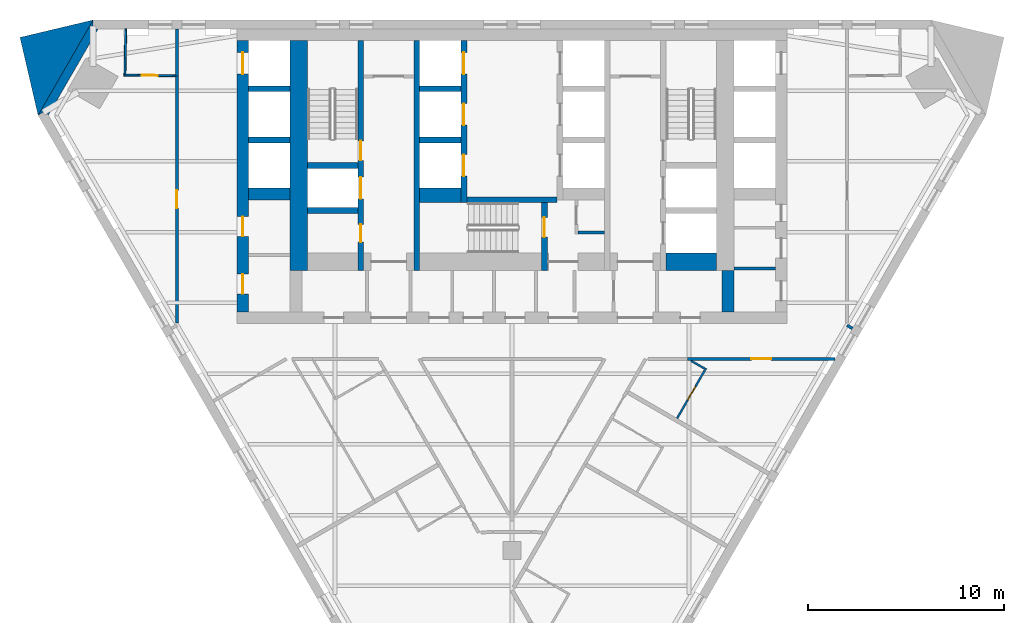
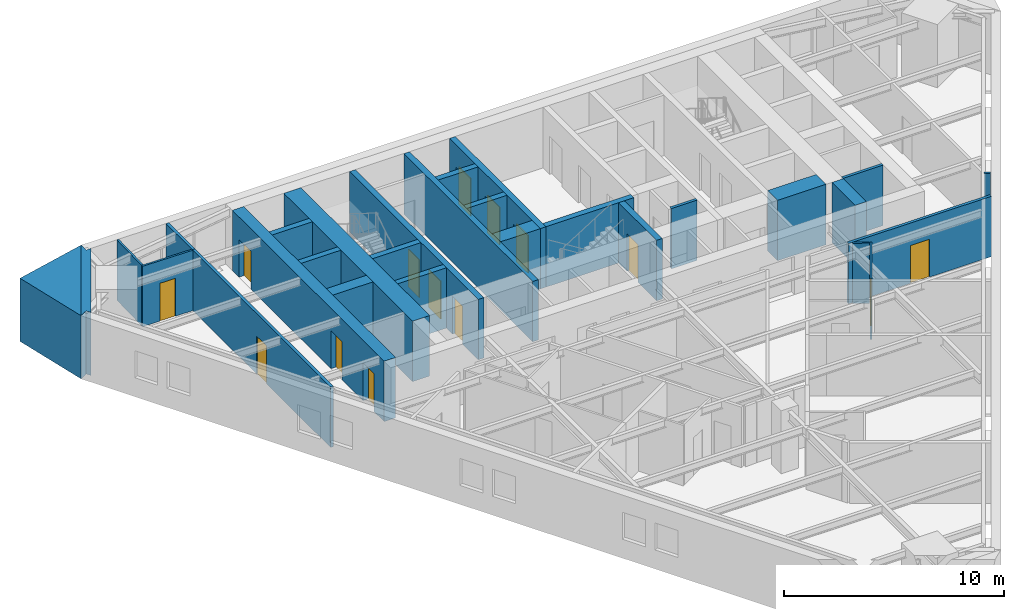
# One storey, part 5 of 9: 29 walls, 14 doors, 14 openings.
"""IFC4 building model written with IfcOpenShell, lengths in metres."""

from ifc_helpers import new_model, si_unit, direction, frame, frame_2d, origin, place, context, subcontext, project, spatial, polyline, rectangle, outline, extrude, material, layer, layer_set, type_object, element, fill, save


model = new_model("IFC4")

# Units and contexts
model_context = context("Model", 3, precision=1e-05, world=origin(), true_north=direction((0.0, 1.0)))
body_context = subcontext(model_context, "Body", "Model", "MODEL_VIEW")
ifc_project = project(units=[si_unit("LENGTHUNIT", "METRE"), si_unit("AREAUNIT", "SQUARE_METRE"), si_unit("VOLUMEUNIT", "CUBIC_METRE"), si_unit("PLANEANGLEUNIT", "RADIAN"), si_unit("MASSUNIT", "GRAM", prefix="KILO")], contexts=[model_context])

# Site, building, storey
site_placement = place(None, origin())
site = spatial("IfcSite", under=ifc_project, at=site_placement, CompositionType="ELEMENT")
building_placement = place(site_placement, origin())
building = spatial("IfcBuilding", under=site, at=building_placement, Name="Aloe Facet Convention Tower", CompositionType="ELEMENT")
storey_placement = place(building_placement, frame((0.0, 0.0, 106.300048828125)))
storey = spatial("IfcBuildingStorey", under=building, at=storey_placement, Name="L26", CompositionType="ELEMENT", Elevation=106.300048828125)

# Walls
ifc_material_1 = material(Name="Concrete blockwork partition", Category="masonry")
ifc_layer_1 = layer(ifc_material_1, 0.14990234375)
ifc_layer_set_1 = layer_set([ifc_layer_1], Name="CR-W-PART150")
wall_type_1 = type_object("IfcWallType", Name="CR-W-PART150", PredefinedType="PARTITIONING", material=ifc_layer_set_1)
wall_1_placement = place(storey_placement, frame((83.35009765625, 124.175048828125, 0.0), z_axis=(0.0, 0.0, 1.0), x_axis=(1.0, 0.0, 0.0)))
element("IfcWall", 1, at=wall_1_placement, inside=storey, type_object=wall_type_1, Name="Core partition L26-036", PredefinedType="PARTITIONING", context=body_context, shape_type="SweptSolid", body=[
    extrude(rectangle(XDim=1.349853515625, YDim=0.14990234375, at=frame_2d((0.6748046875, 0.0))), origin(), (0.0, 0.0, 1.0), 3.349853515625),
])
wall_2_placement = place(storey_placement, frame((91.300048828125, 122.346435546875, 0.0), z_axis=(0.0, 0.0, 1.0), x_axis=(1.0, 0.0, 0.0)))
element("IfcWall", 2, at=wall_2_placement, inside=storey, type_object=wall_type_1, Name="Core partition L26-052", PredefinedType="PARTITIONING", context=body_context, shape_type="SweptSolid", body=[
    extrude(rectangle(XDim=2.099853515625, YDim=0.14990234375, at=frame_2d((1.0498046875, 0.0))), origin(), (0.0, 0.0, 1.0), 3.349853515625),
])
ifc_material_2 = material(Name="Concrete C70/85", Category="concrete")
ifc_layer_2 = layer(ifc_material_2, 0.300048828125)
ifc_layer_set_2 = layer_set([ifc_layer_2], Name="CR-W-RC300-C7085")
wall_type_2 = type_object("IfcWallType", Name="CR-W-RC300-C7085", PredefinedType="SOLIDWALL", material=ifc_layer_set_2)
for number, where, z_axis, x_axis, name in (
    (3, (66.60009765625, 131.5, 0.0), (0.0, 0.0, 1.0), (1.0, 0.0, 0.0), "Core wall L26-004"),
    (4, (66.60009765625, 128.89990234375, 0.0), (0.0, 0.0, 1.0), (1.0, 0.0, 0.0), "Core wall L26-005"),
):
    element("IfcWall", number, at=place(storey_placement, frame(where, z_axis=z_axis, x_axis=x_axis)), inside=storey, type_object=wall_type_2, Name=name, PredefinedType="SOLIDWALL", context=body_context, shape_type="SweptSolid", body=[
        extrude(rectangle(XDim=2.099853515625, YDim=0.300048828125, at=frame_2d((1.0498046875, 0.0))), origin(), (0.0, 0.0, 1.0), 3.349853515625),
    ])
for number, where, z_axis, x_axis, name in (
    (5, (69.60009765625, 127.60009765625, 0.0), (0.0, 0.0, 1.0), (1.0, 0.0, 0.0), "Core wall L26-010"),
    (6, (69.60009765625, 125.300048828125, 0.0), (0.0, 0.0, 1.0), (1.0, 0.0, 0.0), "Core wall L26-011"),
):
    element("IfcWall", number, at=place(storey_placement, frame(where, z_axis=z_axis, x_axis=x_axis)), inside=storey, type_object=wall_type_2, Name=name, PredefinedType="SOLIDWALL", context=body_context, shape_type="SweptSolid", body=[
        extrude(rectangle(XDim=2.5498046875, YDim=0.300048828125, at=frame_2d((1.27490234375, 0.0))), origin(), (0.0, 0.0, 1.0), 3.349853515625),
    ])

# Wall, openings, doors
wall_3_placement = place(storey_placement, frame((72.300048828125, 133.949951171875, 0.0), z_axis=(0.0, 0.0, 1.0), x_axis=(0.0, -1.0, 0.0)))
wall_3 = element("IfcWall", 7, at=wall_3_placement, inside=storey, type_object=wall_type_2, Name="Core wall L26-013", PredefinedType="SOLIDWALL", context=body_context, shape_type="SweptSolid", body=[
    extrude(rectangle(XDim=11.699951171875, YDim=0.300048828125, at=frame_2d((5.85009765625, 0.0))), origin(), (0.0, 0.0, 1.0), 3.349853515625),
])
opening_1_placement = place(wall_3_placement, frame((6.949951171875, 0.0, 0.0)))
opening_1 = element("IfcOpeningElement", 8, at=opening_1_placement, cuts=wall_3, Name="Opening LD-FF1-L26", PredefinedType="OPENING", context=body_context, shape_type="SweptSolid", body=[
    extrude(rectangle(XDim=1.10009765625, YDim=2.10009765625, at=frame_2d((0.550048828125, 1.050048828125))), frame((0.0, 0.16015625, 0.0), z_axis=(0.0, -1.0, 0.0), x_axis=(1.0, 0.0, 0.0)), (0.0, 0.0, 1.0), 0.320068359375),
])
opening_2_placement = place(wall_3_placement, frame((9.35009765625, 0.0, 0.0)))
opening_2 = element("IfcOpeningElement", 9, at=opening_2_placement, cuts=wall_3, Name="Opening L26-CD23", PredefinedType="OPENING", context=body_context, shape_type="SweptSolid", body=[
    extrude(rectangle(XDim=0.89990234375, YDim=2.10009765625, at=frame_2d((0.449951171875, 1.050048828125))), frame((0.0, 0.16015625, 0.0), z_axis=(0.0, -1.0, 0.0), x_axis=(1.0, 0.0, 0.0)), (0.0, 0.0, 1.0), 0.320068359375),
])
opening_3_placement = place(wall_3_placement, frame((5.10009765625, 0.0, 0.0)))
opening_3 = element("IfcOpeningElement", 10, at=opening_3_placement, cuts=wall_3, Name="Opening L26-CD30", PredefinedType="OPENING", context=body_context, shape_type="SweptSolid", body=[
    extrude(rectangle(XDim=1.0, YDim=2.10009765625, at=frame_2d((0.5, 1.050048828125))), frame((0.0, 0.16015625, 0.0), z_axis=(0.0, -1.0, 0.0), x_axis=(1.0, 0.0, 0.0)), (0.0, 0.0, 1.0), 0.320068359375),
])
ifc_material_3 = material(Name="Steel fire-resisting door set FD60", Category="steel")
door_type_1 = type_object("IfcDoorType", Name="CR-D-ROOM-900-FD60-SLEFT", OperationType="SINGLE_SWING_LEFT", PredefinedType="DOOR", material=ifc_material_3)
door_1_placement = place(opening_2_placement, origin())
door_1 = element("IfcDoor", 11, at=door_1_placement, inside=storey, type_object=door_type_1, Name="Core door L26-CD23", OperationType="SINGLE_SWING_LEFT", OverallHeight=2.10009765625, OverallWidth=0.89990234375, PredefinedType="DOOR", context=body_context, shape_type="SweptSolid", body=[
    extrude(rectangle(XDim=0.89990234375, YDim=2.10009765625, at=frame_2d((0.449951171875, 1.050048828125))), frame((0.0, 0.02490234375, 0.0), z_axis=(0.0, -1.0, 0.0), x_axis=(1.0, 0.0, 0.0)), (0.0, 0.0, 1.0), 0.050048828125),
])
fill(opening_2, door_1)
ifc_material_4 = material(Name="Steel fire-resisting door set FD120", Category="steel")
door_type_2 = type_object("IfcDoorType", Name="CR-D-STAIR-1000-FD120-SRIGHT", OperationType="SINGLE_SWING_RIGHT", PredefinedType="DOOR", material=ifc_material_4)
door_2_placement = place(opening_3_placement, origin())
door_2 = element("IfcDoor", 12, at=door_2_placement, inside=storey, type_object=door_type_2, Name="Core door L26-CD30", OperationType="SINGLE_SWING_RIGHT", OverallHeight=2.10009765625, OverallWidth=1.0, PredefinedType="DOOR", context=body_context, shape_type="SweptSolid", body=[
    extrude(rectangle(XDim=1.0, YDim=2.10009765625, at=frame_2d((0.5, 1.050048828125))), frame((0.0, 0.02490234375, 0.0), z_axis=(0.0, -1.0, 0.0), x_axis=(1.0, 0.0, 0.0)), (0.0, 0.0, 1.0), 0.050048828125),
])
fill(opening_3, door_2)
ifc_material_5 = material(Name="Stainless steel sliding landing door", Category="steel")
door_type_3 = type_object("IfcDoorType", Name="CR-LD-1100-FD120-_LEFT", OperationType="SLIDING_TO_LEFT", PredefinedType="DOOR", material=ifc_material_5)
door_3_placement = place(opening_1_placement, origin())
door_3 = element("IfcDoor", 13, at=door_3_placement, inside=storey, type_object=door_type_3, Name="Landing door FF1 L26", OperationType="SLIDING_TO_LEFT", OverallHeight=2.10009765625, OverallWidth=1.10009765625, PredefinedType="DOOR", context=body_context, shape_type="SweptSolid", body=[
    extrude(rectangle(XDim=1.10009765625, YDim=2.10009765625, at=frame_2d((0.550048828125, 1.050048828125))), frame((0.0, 0.02490234375, 0.0), z_axis=(0.0, -1.0, 0.0), x_axis=(1.0, 0.0, 0.0)), (0.0, 0.0, 1.0), 0.050048828125),
])
fill(opening_1, door_3)

# Walls
wall_4_placement = place(storey_placement, frame((75.14990234375, 133.949951171875, 0.0), z_axis=(0.0, 0.0, 1.0), x_axis=(0.0, -1.0, 0.0)))
element("IfcWall", 14, at=wall_4_placement, inside=storey, type_object=wall_type_2, Name="Core wall L26-018", PredefinedType="SOLIDWALL", context=body_context, shape_type="SweptSolid", body=[
    extrude(rectangle(XDim=11.699951171875, YDim=0.300048828125, at=frame_2d((5.85009765625, 0.0))), origin(), (0.0, 0.0, 1.0), 3.349853515625),
])
for number, where, z_axis, x_axis, name in (
    (15, (75.300048828125, 131.5, 0.0), (0.0, 0.0, 1.0), (1.0, 0.0, 0.0), "Core wall L26-019"),
    (16, (75.300048828125, 128.89990234375, 0.0), (0.0, 0.0, 1.0), (1.0, 0.0, 0.0), "Core wall L26-020"),
):
    element("IfcWall", number, at=place(storey_placement, frame(where, z_axis=z_axis, x_axis=x_axis)), inside=storey, type_object=wall_type_2, Name=name, PredefinedType="SOLIDWALL", context=body_context, shape_type="SweptSolid", body=[
        extrude(rectangle(XDim=2.099853515625, YDim=0.300048828125, at=frame_2d((1.0498046875, 0.0))), origin(), (0.0, 0.0, 1.0), 3.349853515625),
    ])

# Wall, openings, doors
wall_5_placement = place(storey_placement, frame((77.550048828125, 133.949951171875, 0.0), z_axis=(0.0, 0.0, 1.0), x_axis=(0.0, -1.0, 0.0)))
wall_5 = element("IfcWall", 17, at=wall_5_placement, inside=storey, type_object=wall_type_2, Name="Core wall L26-024", PredefinedType="SOLIDWALL", context=body_context, shape_type="SweptSolid", body=[
    extrude(rectangle(XDim=8.25, YDim=0.300048828125, at=frame_2d((4.125, 0.0))), origin(), (0.0, 0.0, 1.0), 3.349853515625),
])
opening_4_placement = place(wall_5_placement, frame((0.60009765625, 0.0, 0.0)))
opening_4 = element("IfcOpeningElement", 18, at=opening_4_placement, cuts=wall_5, Name="Opening LD-A1-L26", PredefinedType="OPENING", context=body_context, shape_type="SweptSolid", body=[
    extrude(rectangle(XDim=1.10009765625, YDim=2.10009765625, at=frame_2d((0.550048828125, 1.050048828125))), frame((0.0, 0.16015625, 0.0), z_axis=(0.0, -1.0, 0.0), x_axis=(1.0, 0.0, 0.0)), (0.0, 0.0, 1.0), 0.320068359375),
])
opening_5_placement = place(wall_5_placement, frame((3.199951171875, 0.0, 0.0)))
opening_5 = element("IfcOpeningElement", 19, at=opening_5_placement, cuts=wall_5, Name="Opening LD-A2-L26", PredefinedType="OPENING", context=body_context, shape_type="SweptSolid", body=[
    extrude(rectangle(XDim=1.10009765625, YDim=2.10009765625, at=frame_2d((0.550048828125, 1.050048828125))), frame((0.0, 0.16015625, 0.0), z_axis=(0.0, -1.0, 0.0), x_axis=(1.0, 0.0, 0.0)), (0.0, 0.0, 1.0), 0.320068359375),
])
opening_6_placement = place(wall_5_placement, frame((5.800048828125, 0.0, 0.0)))
opening_6 = element("IfcOpeningElement", 20, at=opening_6_placement, cuts=wall_5, Name="Opening LD-A3-L26", PredefinedType="OPENING", context=body_context, shape_type="SweptSolid", body=[
    extrude(rectangle(XDim=1.10009765625, YDim=2.10009765625, at=frame_2d((0.550048828125, 1.050048828125))), frame((0.0, 0.16015625, 0.0), z_axis=(0.0, -1.0, 0.0), x_axis=(1.0, 0.0, 0.0)), (0.0, 0.0, 1.0), 0.320068359375),
])
ifc_material_6 = material(Name="Stainless steel sliding landing door", Category="steel")
door_type_4 = type_object("IfcDoorType", Name="CR-LD-1100-FD60-RIGHT", OperationType="SLIDING_TO_RIGHT", PredefinedType="DOOR", material=ifc_material_6)
door_4_placement = place(opening_4_placement, origin())
door_4 = element("IfcDoor", 21, at=door_4_placement, inside=storey, type_object=door_type_4, Name="Landing door A1 L26", OperationType="SLIDING_TO_RIGHT", OverallHeight=2.10009765625, OverallWidth=1.10009765625, PredefinedType="DOOR", context=body_context, shape_type="SweptSolid", body=[
    extrude(rectangle(XDim=1.10009765625, YDim=2.10009765625, at=frame_2d((0.550048828125, 1.050048828125))), frame((0.0, 0.02490234375, 0.0), z_axis=(0.0, -1.0, 0.0), x_axis=(1.0, 0.0, 0.0)), (0.0, 0.0, 1.0), 0.050048828125),
])
fill(opening_4, door_4)
door_5_placement = place(opening_5_placement, origin())
door_5 = element("IfcDoor", 22, at=door_5_placement, inside=storey, type_object=door_type_4, Name="Landing door A2 L26", OperationType="SLIDING_TO_RIGHT", OverallHeight=2.10009765625, OverallWidth=1.10009765625, PredefinedType="DOOR", context=body_context, shape_type="SweptSolid", body=[
    extrude(rectangle(XDim=1.10009765625, YDim=2.10009765625, at=frame_2d((0.550048828125, 1.050048828125))), frame((0.0, 0.02490234375, 0.0), z_axis=(0.0, -1.0, 0.0), x_axis=(1.0, 0.0, 0.0)), (0.0, 0.0, 1.0), 0.050048828125),
])
fill(opening_5, door_5)
door_6_placement = place(opening_6_placement, origin())
door_6 = element("IfcDoor", 23, at=door_6_placement, inside=storey, type_object=door_type_4, Name="Landing door A3 L26", OperationType="SLIDING_TO_RIGHT", OverallHeight=2.10009765625, OverallWidth=1.10009765625, PredefinedType="DOOR", context=body_context, shape_type="SweptSolid", body=[
    extrude(rectangle(XDim=1.10009765625, YDim=2.10009765625, at=frame_2d((0.550048828125, 1.050048828125))), frame((0.0, 0.02490234375, 0.0), z_axis=(0.0, -1.0, 0.0), x_axis=(1.0, 0.0, 0.0)), (0.0, 0.0, 1.0), 0.050048828125),
])
fill(opening_6, door_6)

# Wall
wall_6_placement = place(storey_placement, frame((77.699951171875, 125.85009765625, 0.0), z_axis=(0.0, 0.0, 1.0), x_axis=(1.0, 0.0, 0.0)))
element("IfcWall", 24, at=wall_6_placement, inside=storey, type_object=wall_type_2, Name="Core wall L26-025", PredefinedType="SOLIDWALL", context=body_context, shape_type="SweptSolid", body=[
    extrude(rectangle(XDim=4.60009765625, YDim=0.300048828125, at=frame_2d((2.300048828125, 0.0))), origin(), (0.0, 0.0, 1.0), 3.349853515625),
])

# Wall, opening, door
wall_7_placement = place(storey_placement, frame((81.64990234375, 125.699951171875, 0.0), z_axis=(0.0, 0.0, 1.0), x_axis=(0.0, -1.0, 0.0)))
wall_7 = element("IfcWall", 25, at=wall_7_placement, inside=storey, type_object=wall_type_2, Name="Core wall L26-028", PredefinedType="SOLIDWALL", context=body_context, shape_type="SweptSolid", body=[
    extrude(rectangle(XDim=3.449951171875, YDim=0.300048828125, at=frame_2d((1.72509765625, 0.0))), origin(), (0.0, 0.0, 1.0), 3.349853515625),
])
opening_7_placement = place(wall_7_placement, frame((0.75, 0.0, 0.0)))
opening_7 = element("IfcOpeningElement", 26, at=opening_7_placement, cuts=wall_7, Name="Opening L26-CD32", PredefinedType="OPENING", context=body_context, shape_type="SweptSolid", body=[
    extrude(rectangle(XDim=1.0, YDim=2.10009765625, at=frame_2d((0.5, 1.050048828125))), frame((0.0, 0.16015625, 0.0), z_axis=(0.0, -1.0, 0.0), x_axis=(1.0, 0.0, 0.0)), (0.0, 0.0, 1.0), 0.320068359375),
])
ifc_material_7 = material(Name="Steel fire-resisting door set FD120", Category="steel")
door_type_5 = type_object("IfcDoorType", Name="CR-D-STAIR-1000-FD120-SLEFT", OperationType="SINGLE_SWING_LEFT", PredefinedType="DOOR", material=ifc_material_7)
door_7_placement = place(opening_7_placement, origin())
door_7 = element("IfcDoor", 27, at=door_7_placement, inside=storey, type_object=door_type_5, Name="Core door L26-CD32", OperationType="SINGLE_SWING_LEFT", OverallHeight=2.10009765625, OverallWidth=1.0, PredefinedType="DOOR", context=body_context, shape_type="SweptSolid", body=[
    extrude(rectangle(XDim=1.0, YDim=2.10009765625, at=frame_2d((0.5, 1.050048828125))), frame((0.0, 0.02490234375, 0.0), z_axis=(0.0, -1.0, 0.0), x_axis=(1.0, 0.0, 0.0)), (0.0, 0.0, 1.0), 0.050048828125),
])
fill(opening_7, door_7)

# Wall, openings, doors
ifc_material_8 = material(Name="Concrete C70/85", Category="concrete")
ifc_layer_3 = layer(ifc_material_8, 0.60009765625)
ifc_layer_set_3 = layer_set([ifc_layer_3], Name="CR-W-RC600-C7085")
wall_type_3 = type_object("IfcWallType", Name="CR-W-RC600-C7085", PredefinedType="SOLIDWALL", material=ifc_layer_set_3)
wall_8_placement = place(storey_placement, frame((66.300048828125, 133.949951171875, 0.0), z_axis=(0.0, 0.0, 1.0), x_axis=(0.0, -1.0, 0.0)))
wall_8 = element("IfcWall", 28, at=wall_8_placement, inside=storey, type_object=wall_type_3, Name="Core wall L26-002", PredefinedType="SOLIDWALL", context=body_context, shape_type="SweptSolid", body=[
    extrude(rectangle(XDim=13.800048828125, YDim=0.60009765625, at=frame_2d((6.89990234375, 0.0))), origin(), (0.0, 0.0, 1.0), 3.349853515625),
])
opening_8_placement = place(wall_8_placement, frame((0.60009765625, 0.0, 0.0)))
opening_8 = element("IfcOpeningElement", 29, at=opening_8_placement, cuts=wall_8, Name="Opening LD-A7-L26", PredefinedType="OPENING", context=body_context, shape_type="SweptSolid", body=[
    extrude(rectangle(XDim=1.10009765625, YDim=2.10009765625, at=frame_2d((0.550048828125, 1.050048828125))), frame((0.0, 0.31005859375, 0.0), z_axis=(0.0, -1.0, 0.0), x_axis=(1.0, 0.0, 0.0)), (0.0, 0.0, 1.0), 0.6201171875),
])
opening_9_placement = place(wall_8_placement, frame((8.963134765625, 0.0, 0.0)))
opening_9 = element("IfcOpeningElement", 30, at=opening_9_placement, cuts=wall_8, Name="Opening L26-CD34", PredefinedType="OPENING", context=body_context, shape_type="SweptSolid", body=[
    extrude(rectangle(XDim=1.0, YDim=2.10009765625, at=frame_2d((0.5, 1.050048828125))), frame((0.0, 0.31005859375, 0.0), z_axis=(0.0, -1.0, 0.0), x_axis=(1.0, 0.0, 0.0)), (0.0, 0.0, 1.0), 0.6201171875),
])
opening_10_placement = place(wall_8_placement, frame((11.88818359375, 0.0, 0.0)))
opening_10 = element("IfcOpeningElement", 31, at=opening_10_placement, cuts=wall_8, Name="Opening L26-CD35", PredefinedType="OPENING", context=body_context, shape_type="SweptSolid", body=[
    extrude(rectangle(XDim=1.0, YDim=2.10009765625, at=frame_2d((0.5, 1.050048828125))), frame((0.0, 0.31005859375, 0.0), z_axis=(0.0, -1.0, 0.0), x_axis=(1.0, 0.0, 0.0)), (0.0, 0.0, 1.0), 0.6201171875),
])
ifc_material_9 = material(Name="Steel fire-resisting door set FD60", Category="steel")
door_type_6 = type_object("IfcDoorType", Name="CR-D-ROOM-1000-FD60-SLEFT", OperationType="SINGLE_SWING_LEFT", PredefinedType="DOOR", material=ifc_material_9)
door_8_placement = place(opening_9_placement, origin())
door_8 = element("IfcDoor", 32, at=door_8_placement, inside=storey, type_object=door_type_6, Name="Core door L26-CD34", OperationType="SINGLE_SWING_LEFT", OverallHeight=2.10009765625, OverallWidth=1.0, PredefinedType="DOOR", context=body_context, shape_type="SweptSolid", body=[
    extrude(rectangle(XDim=1.0, YDim=2.10009765625, at=frame_2d((0.5, 1.050048828125))), frame((0.0, 0.02490234375, 0.0), z_axis=(0.0, -1.0, 0.0), x_axis=(1.0, 0.0, 0.0)), (0.0, 0.0, 1.0), 0.050048828125),
])
fill(opening_9, door_8)
door_9_placement = place(opening_10_placement, origin())
door_9 = element("IfcDoor", 33, at=door_9_placement, inside=storey, type_object=door_type_6, Name="Core door L26-CD35", OperationType="SINGLE_SWING_LEFT", OverallHeight=2.10009765625, OverallWidth=1.0, PredefinedType="DOOR", context=body_context, shape_type="SweptSolid", body=[
    extrude(rectangle(XDim=1.0, YDim=2.10009765625, at=frame_2d((0.5, 1.050048828125))), frame((0.0, 0.02490234375, 0.0), z_axis=(0.0, -1.0, 0.0), x_axis=(1.0, 0.0, 0.0)), (0.0, 0.0, 1.0), 0.050048828125),
])
fill(opening_10, door_9)
ifc_material_10 = material(Name="Stainless steel sliding landing door", Category="steel")
door_type_7 = type_object("IfcDoorType", Name="CR-LD-1100-FD60-_LEFT", OperationType="SLIDING_TO_LEFT", PredefinedType="DOOR", material=ifc_material_10)
door_10_placement = place(opening_8_placement, origin())
door_10 = element("IfcDoor", 34, at=door_10_placement, inside=storey, type_object=door_type_7, Name="Landing door A7 L26", OperationType="SLIDING_TO_LEFT", OverallHeight=2.10009765625, OverallWidth=1.10009765625, PredefinedType="DOOR", context=body_context, shape_type="SweptSolid", body=[
    extrude(rectangle(XDim=1.10009765625, YDim=2.10009765625, at=frame_2d((0.550048828125, 1.050048828125))), frame((0.0, 0.02490234375, 0.0), z_axis=(0.0, -1.0, 0.0), x_axis=(1.0, 0.0, 0.0)), (0.0, 0.0, 1.0), 0.050048828125),
])
fill(opening_8, door_10)

# Walls
wall_9_placement = place(storey_placement, frame((66.60009765625, 126.14990234375, 0.0), z_axis=(0.0, 0.0, 1.0), x_axis=(1.0, 0.0, 0.0)))
element("IfcWall", 35, at=wall_9_placement, inside=storey, type_object=wall_type_3, Name="Core wall L26-006", PredefinedType="SOLIDWALL", context=body_context, shape_type="SweptSolid", body=[
    extrude(rectangle(XDim=2.099853515625, YDim=0.60009765625, at=frame_2d((1.0498046875, 0.0))), origin(), (0.0, 0.0, 1.0), 3.349853515625),
])
wall_10_placement = place(storey_placement, frame((91.0, 122.25, 0.0), z_axis=(0.0, 0.0, 1.0), x_axis=(0.0, -1.0, 0.0)))
element("IfcWall", 36, at=wall_10_placement, inside=storey, type_object=wall_type_3, Name="Core wall L26-047", PredefinedType="SOLIDWALL", context=body_context, shape_type="SweptSolid", body=[
    extrude(rectangle(XDim=2.10009765625, YDim=0.60009765625, at=frame_2d((1.050048828125, 0.0))), origin(), (0.0, 0.0, 1.0), 3.349853515625),
])
ifc_material_11 = material(Name="Concrete C70/85", Category="concrete")
ifc_layer_4 = layer(ifc_material_11, 0.75)
ifc_layer_set_4 = layer_set([ifc_layer_4], Name="CR-W-RC750-C7085")
wall_type_4 = type_object("IfcWallType", Name="CR-W-RC750-C7085", PredefinedType="SOLIDWALL", material=ifc_layer_set_4)
wall_11_placement = place(storey_placement, frame((75.300048828125, 126.074951171875, 0.0), z_axis=(0.0, 0.0, 1.0), x_axis=(1.0, 0.0, 0.0)))
element("IfcWall", 37, at=wall_11_placement, inside=storey, type_object=wall_type_4, Name="Core wall L26-021", PredefinedType="SOLIDWALL", context=body_context, shape_type="SweptSolid", body=[
    extrude(rectangle(XDim=2.099853515625, YDim=0.75, at=frame_2d((1.0498046875, 0.0))), origin(), (0.0, 0.0, 1.0), 3.349853515625),
])
ifc_material_12 = material(Name="Concrete C70/85", Category="concrete")
ifc_layer_5 = layer(ifc_material_12, 0.89990234375)
ifc_layer_set_5 = layer_set([ifc_layer_5], Name="CR-W-RC900-C7085")
wall_type_5 = type_object("IfcWallType", Name="CR-W-RC900-C7085", PredefinedType="SOLIDWALL", material=ifc_layer_set_5)
wall_12_placement = place(storey_placement, frame((69.14990234375, 133.949951171875, 0.0), z_axis=(0.0, 0.0, 1.0), x_axis=(0.0, -1.0, 0.0)))
element("IfcWall", 38, at=wall_12_placement, inside=storey, type_object=wall_type_5, Name="Core wall L26-008", PredefinedType="SOLIDWALL", context=body_context, shape_type="SweptSolid", body=[
    extrude(rectangle(XDim=11.699951171875, YDim=0.89990234375, at=frame_2d((5.85009765625, 0.0))), origin(), (0.0, 0.0, 1.0), 3.349853515625),
])
wall_13_placement = place(storey_placement, frame((87.85009765625, 122.699951171875, 0.0), z_axis=(0.0, 0.0, 1.0), x_axis=(1.0, 0.0, 0.0)))
element("IfcWall", 39, at=wall_13_placement, inside=storey, type_object=wall_type_5, Name="Core wall L26-045", PredefinedType="SOLIDWALL", context=body_context, shape_type="SweptSolid", body=[
    extrude(rectangle(XDim=2.5498046875, YDim=0.89990234375, at=frame_2d((1.27490234375, 0.0))), origin(), (0.0, 0.0, 1.0), 3.349853515625),
])
ifc_material_13 = material(Name="Precast concrete C40/50", Category="concrete")
ifc_layer_6 = layer(ifc_material_13, 0.449951171875)
ifc_layer_set_6 = layer_set([ifc_layer_6], Name="EV-WALL-PIER")
wall_type_6 = type_object("IfcWallType", Name="EV-WALL-PIER", PredefinedType="SOLIDWALL", material=ifc_layer_set_6)
wall_14_placement = place(storey_placement, frame((0.0, 0.0, -0.150146484375)))
element("IfcWall", 40, at=wall_14_placement, inside=storey, type_object=wall_type_6, Name="EP-L26-A", PredefinedType="SOLIDWALL", context=body_context, shape_type="SweptSolid", body=[
    extrude(outline(polyline([(58.678466796875, 135.0), (58.678466796875, 134.550048828125), (58.938232421875, 134.550048828125), (56.398193359375, 130.150146484375), (56.26806640625, 130.375244140625), (55.87841796875, 130.150146484375), (58.678466796875, 135.0)])), origin(), (0.0, 0.0, 1.0), 3.5),
])
ifc_material_14 = material(Name="Precast concrete C40/50", Category="concrete")
ifc_layer_7 = layer(ifc_material_14, 3.947998046875)
ifc_layer_set_7 = layer_set([ifc_layer_7], Name="EV-WALL-SPINE")
wall_type_7 = type_object("IfcWallType", Name="EV-WALL-SPINE", PredefinedType="SOLIDWALL", material=ifc_layer_set_7)
wall_15_placement = place(storey_placement, frame((0.0, 0.0, -0.150146484375)))
element("IfcWall", 41, at=wall_15_placement, inside=storey, type_object=wall_type_7, Name="SP-NW-L26", PredefinedType="SOLIDWALL", context=body_context, shape_type="SweptSolid", body=[
    extrude(outline(polyline([(58.678466796875, 135.0), (54.958251953125, 134.114501953125), (55.87841796875, 130.150146484375), (58.678466796875, 135.0)])), origin(), (0.0, 0.0, 1.0), 3.5),
])

# Wall, opening, door
ifc_material_15 = material(Name="Gypsum board partition on steel studs", Category="steel")
ifc_layer_8 = layer(ifc_material_15, 0.14990234375)
ifc_layer_set_8 = layer_set([ifc_layer_8], Name="IN-W-CORR")
wall_type_8 = type_object("IfcWallType", Name="IN-W-CORR", PredefinedType="PARTITIONING", material=ifc_layer_set_8)
wall_16_placement = place(storey_placement, frame((88.936279296875, 117.75, 0.0), z_axis=(0.0, 0.0, 1.0), x_axis=(1.0, 0.0, 0.0)))
wall_16 = element("IfcWall", 42, at=wall_16_placement, inside=storey, type_object=wall_type_8, Name="Partition L26-W054", PredefinedType="PARTITIONING", context=body_context, shape_type="SweptSolid", body=[
    extrude(rectangle(XDim=7.494873046875, YDim=0.14990234375, at=frame_2d((3.74755859375, 0.0))), origin(), (0.0, 0.0, 1.0), 3.349853515625),
])
opening_11_placement = place(wall_16_placement, frame((3.247314453125, 0.0, 0.0)))
opening_11 = element("IfcOpeningElement", 43, at=opening_11_placement, cuts=wall_16, Name="Opening L26-006", PredefinedType="OPENING", context=body_context, shape_type="SweptSolid", body=[
    extrude(rectangle(XDim=1.0, YDim=2.10009765625, at=frame_2d((0.5, 1.050048828125))), frame((0.0, 0.0849609375, 0.0), z_axis=(0.0, -1.0, 0.0), x_axis=(1.0, 0.0, 0.0)), (0.0, 0.0, 1.0), 0.169921875),
])
ifc_material_16 = material(Name="Hardwood flush door FD30S", Category="wood")
door_type_8 = type_object("IfcDoorType", Name="IN-D-WIDE", OperationType="SINGLE_SWING_LEFT", PredefinedType="DOOR", material=ifc_material_16)
door_11_placement = place(opening_11_placement, origin())
door_11 = element("IfcDoor", 44, at=door_11_placement, inside=storey, type_object=door_type_8, Name="Door L26-006", OperationType="SINGLE_SWING_LEFT", OverallHeight=2.10009765625, OverallWidth=1.0, PredefinedType="DOOR", context=body_context, shape_type="SweptSolid", body=[
    extrude(rectangle(XDim=1.0, YDim=2.10009765625, at=frame_2d((0.5, 1.050048828125))), frame((0.0, 0.02490234375, 0.0), z_axis=(0.0, -1.0, 0.0), x_axis=(1.0, 0.0, 0.0)), (0.0, 0.0, 1.0), 0.050048828125),
])
fill(opening_11, door_11)

wall_17_placement = place(storey_placement, frame((62.94287109375, 119.586669921875, 0.0), z_axis=(0.0, 0.0, 1.0), x_axis=(0.0, 1.0, 0.0)))
wall_17 = element("IfcWall", 45, at=wall_17_placement, inside=storey, type_object=wall_type_8, Name="Partition L26-W056", PredefinedType="PARTITIONING", context=body_context, shape_type="SweptSolid", body=[
    extrude(rectangle(XDim=12.572998046875, YDim=0.14990234375, at=frame_2d((6.28662109375, 0.0))), origin(), (0.0, 0.0, 1.0), 3.349853515625),
])
opening_12_placement = place(wall_17_placement, frame((5.83642578125, 0.0, 0.0)))
opening_12 = element("IfcOpeningElement", 46, at=opening_12_placement, cuts=wall_17, Name="Opening L26-001", PredefinedType="OPENING", context=body_context, shape_type="SweptSolid", body=[
    extrude(rectangle(XDim=0.89990234375, YDim=2.10009765625, at=frame_2d((0.449951171875, 1.050048828125))), frame((0.0, 0.0849609375, 0.0), z_axis=(0.0, -1.0, 0.0), x_axis=(1.0, 0.0, 0.0)), (0.0, 0.0, 1.0), 0.169921875),
])
ifc_material_17 = material(Name="Hardwood flush door FD30S", Category="wood")
door_type_9 = type_object("IfcDoorType", Name="IN-D-GUEST", OperationType="SINGLE_SWING_LEFT", PredefinedType="DOOR", material=ifc_material_17)
door_12_placement = place(opening_12_placement, origin())
door_12 = element("IfcDoor", 47, at=door_12_placement, inside=storey, type_object=door_type_9, Name="Door L26-001", OperationType="SINGLE_SWING_LEFT", OverallHeight=2.10009765625, OverallWidth=0.89990234375, PredefinedType="DOOR", context=body_context, shape_type="SweptSolid", body=[
    extrude(rectangle(XDim=0.89990234375, YDim=2.10009765625, at=frame_2d((0.449951171875, 1.050048828125))), frame((0.0, 0.02490234375, 0.0), z_axis=(0.0, -1.0, 0.0), x_axis=(1.0, 0.0, 0.0)), (0.0, 0.0, 1.0), 0.050048828125),
])
fill(opening_12, door_12)

# Walls
wall_18_placement = place(storey_placement, frame((97.05712890625, 119.456787109375, 0.0), z_axis=(0.0, 0.0, 1.0), x_axis=(0.866159461733, -0.499767732902, 0.0)))
element("IfcWall", 48, at=wall_18_placement, inside=storey, type_object=wall_type_8, Name="Partition L26-W057", PredefinedType="PARTITIONING", context=body_context, shape_type="SweptSolid", body=[
    extrude(rectangle(XDim=0.311279296875, YDim=0.14990234375, at=frame_2d((0.15576171875, 0.0))), origin(), (0.0, 0.0, 1.0), 3.349853515625),
])
wall_19_placement = place(storey_placement, frame((62.94287109375, 132.15966796875, 0.0), z_axis=(0.0, 0.0, 1.0), x_axis=(0.0, 1.0, 0.0)))
element("IfcWall", 49, at=wall_19_placement, inside=storey, type_object=wall_type_8, Name="Partition L26-W066", PredefinedType="PARTITIONING", context=body_context, shape_type="SweptSolid", body=[
    extrude(rectangle(XDim=2.390380859375, YDim=0.14990234375, at=frame_2d((1.1953125, 0.0))), origin(), (0.0, 0.0, 1.0), 3.349853515625),
])

# Wall, opening, door
ifc_material_18 = material(Name="Gypsum board partition on steel studs", Category="steel")
ifc_layer_9 = layer(ifc_material_18, 0.10009765625)
ifc_layer_set_9 = layer_set([ifc_layer_9], Name="IN-W-PART")
wall_type_9 = type_object("IfcWallType", Name="IN-W-PART", PredefinedType="PARTITIONING", material=ifc_layer_set_9)
wall_20_placement = place(storey_placement, frame((88.40625, 114.73046875, 0.0), z_axis=(0.0, 0.0, 1.0), x_axis=(0.499988418424, 0.866032090307, 0.0)))
wall_20 = element("IfcWall", 50, at=wall_20_placement, inside=storey, type_object=wall_type_9, Name="Partition L26-W041", PredefinedType="PARTITIONING", context=body_context, shape_type="SweptSolid", body=[
    extrude(rectangle(XDim=2.93994140625, YDim=0.10009765625, at=frame_2d((1.469970703125, 0.0))), origin(), (0.0, 0.0, 1.0), 3.349853515625),
])
opening_13_placement = place(wall_20_placement, frame((1.070068359375, 0.0, 0.0)))
opening_13 = element("IfcOpeningElement", 51, at=opening_13_placement, cuts=wall_20, Name="Opening L26-017", PredefinedType="OPENING", context=body_context, shape_type="SweptSolid", body=[
    extrude(rectangle(XDim=0.800048828125, YDim=2.10009765625, at=frame_2d((0.39990234375, 1.050048828125))), frame((0.0, 0.06005859375, 0.0), z_axis=(0.0, -1.0, 0.0), x_axis=(1.0, 0.0, 0.0)), (0.0, 0.0, 1.0), 0.1201171875),
])
ifc_material_19 = material(Name="Timber flush door", Category="wood")
door_type_10 = type_object("IfcDoorType", Name="IN-D-BATH", OperationType="SINGLE_SWING_LEFT", PredefinedType="DOOR", material=ifc_material_19)
door_13_placement = place(opening_13_placement, origin())
door_13 = element("IfcDoor", 52, at=door_13_placement, inside=storey, type_object=door_type_10, Name="Door L26-017", OperationType="SINGLE_SWING_LEFT", OverallHeight=2.10009765625, OverallWidth=0.800048828125, PredefinedType="DOOR", context=body_context, shape_type="SweptSolid", body=[
    extrude(rectangle(XDim=0.800048828125, YDim=2.10009765625, at=frame_2d((0.39990234375, 1.050048828125))), frame((0.0, 0.02490234375, 0.0), z_axis=(0.0, -1.0, 0.0), x_axis=(1.0, 0.0, 0.0)), (0.0, 0.0, 1.0), 0.050048828125),
])
fill(opening_13, door_13)

# Wall
wall_21_placement = place(storey_placement, frame((89.11474609375, 117.649169921875, 0.0), z_axis=(0.0, 0.0, 1.0), x_axis=(0.870869355457, -0.491514563087, 0.0)))
element("IfcWall", 53, at=wall_21_placement, inside=storey, type_object=wall_type_9, Name="Partition L26-W053", PredefinedType="PARTITIONING", context=body_context, shape_type="SweptSolid", body=[
    extrude(rectangle(XDim=0.785888671875, YDim=0.10009765625, at=frame_2d((0.39306640625, 0.0))), origin(), (0.0, 0.0, 1.0), 3.349853515625),
])

# Wall, opening, door
wall_22_placement = place(storey_placement, frame((60.24951171875, 132.198486328125, 0.0), z_axis=(0.0, 0.0, 1.0), x_axis=(0.999895563634, -0.014452052626, 0.0)))
wall_22 = element("IfcWall", 54, at=wall_22_placement, inside=storey, type_object=wall_type_9, Name="Partition L26-W059", PredefinedType="PARTITIONING", context=body_context, shape_type="SweptSolid", body=[
    extrude(rectangle(XDim=2.618408203125, YDim=0.10009765625, at=frame_2d((1.30908203125, 0.0))), origin(), (0.0, 0.0, 1.0), 3.349853515625),
])
opening_14_placement = place(wall_22_placement, frame((0.909423828125, 0.0, 0.0)))
opening_14 = element("IfcOpeningElement", 55, at=opening_14_placement, cuts=wall_22, Name="Opening L26-011", PredefinedType="OPENING", context=body_context, shape_type="SweptSolid", body=[
    extrude(rectangle(XDim=0.800048828125, YDim=2.10009765625, at=frame_2d((0.39990234375, 1.050048828125))), frame((0.0, 0.06005859375, 0.0), z_axis=(0.0, -1.0, 0.0), x_axis=(1.0, 0.0, 0.0)), (0.0, 0.0, 1.0), 0.1201171875),
])
door_14_placement = place(opening_14_placement, origin())
door_14 = element("IfcDoor", 56, at=door_14_placement, inside=storey, type_object=door_type_10, Name="Door L26-011", OperationType="SINGLE_SWING_LEFT", OverallHeight=2.10009765625, OverallWidth=0.800048828125, PredefinedType="DOOR", context=body_context, shape_type="SweptSolid", body=[
    extrude(rectangle(XDim=0.800048828125, YDim=2.10009765625, at=frame_2d((0.39990234375, 1.050048828125))), frame((0.0, 0.02490234375, 0.0), z_axis=(0.0, -1.0, 0.0), x_axis=(1.0, 0.0, 0.0)), (0.0, 0.0, 1.0), 0.050048828125),
])
fill(opening_14, door_14)

# Wall
wall_23_placement = place(storey_placement, frame((60.30029296875, 132.247802734375, 0.0), z_axis=(0.0, 0.0, 1.0), x_axis=(0.018236627382, 0.999833698883, 0.0)))
element("IfcWall", 57, at=wall_23_placement, inside=storey, type_object=wall_type_9, Name="Partition L26-W062", PredefinedType="PARTITIONING", context=body_context, shape_type="SweptSolid", body=[
    extrude(rectangle(XDim=2.302734375, YDim=0.10009765625, at=frame_2d((1.1513671875, 0.0))), origin(), (0.0, 0.0, 1.0), 3.349853515625),
])

save(model, "model.ifc")
